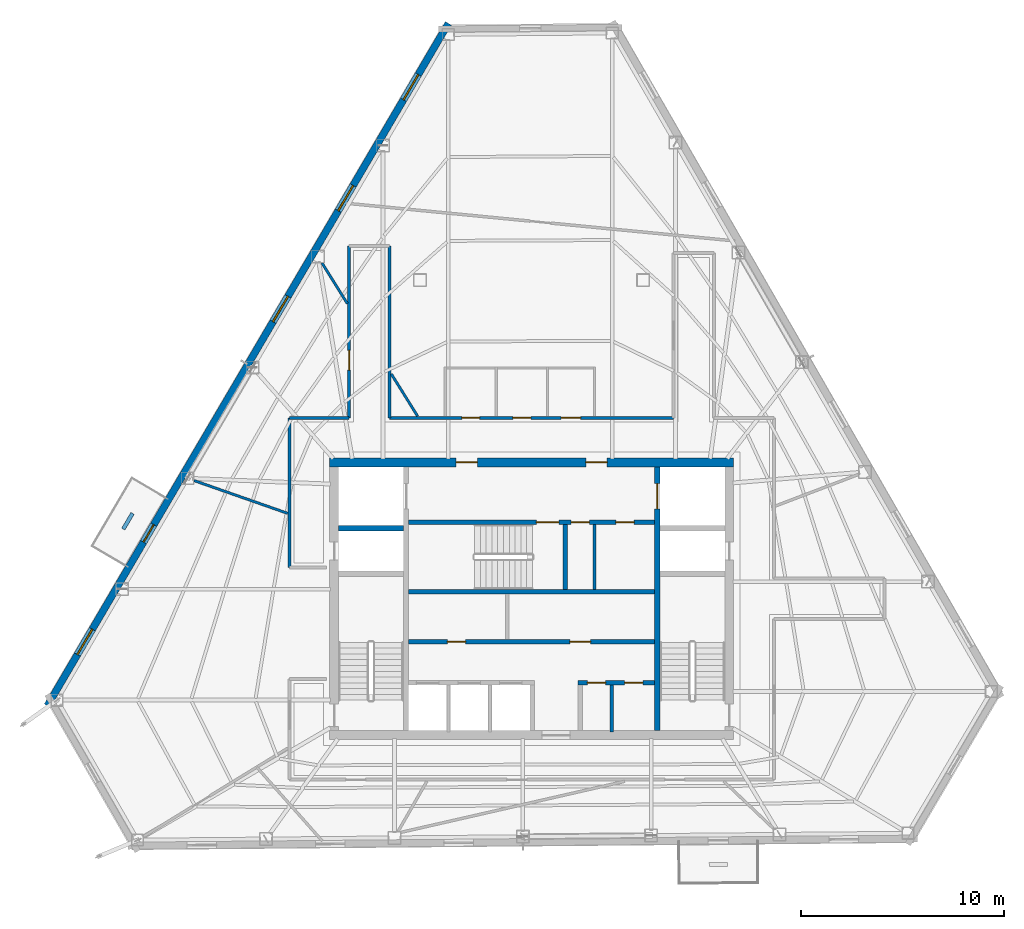
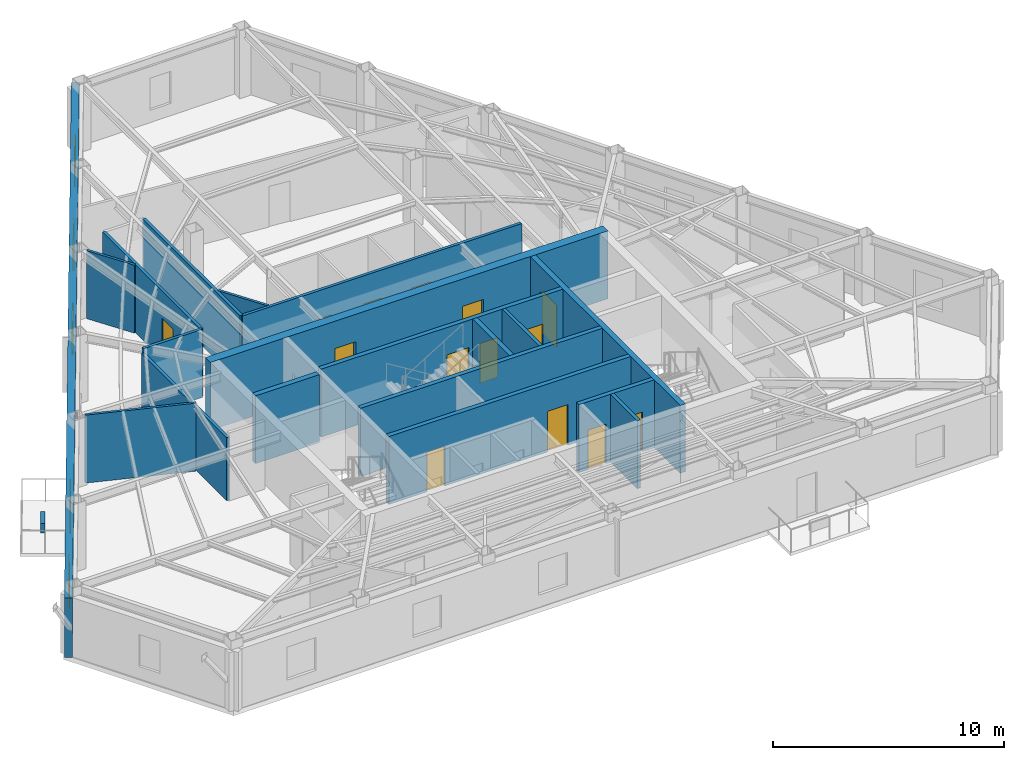
# One storey, part 9 of 14: 20 walls, 15 doors, 4 windows, 19 openings.
"""IFC4 building model written with IfcOpenShell, lengths in metres."""

from ifc_helpers import new_model, si_unit, direction, frame, frame_2d, origin, place, context, subcontext, project, spatial, rectangle, extrude, material, layer, layer_set, type_object, element, fill, save


model = new_model("IFC4")

# Units and contexts
model_context = context("Model", 3, precision=1e-05, world=origin(), true_north=direction((0.0, 1.0)))
body_context = subcontext(model_context, "Body", "Model", "MODEL_VIEW")
ifc_project = project(units=[si_unit("LENGTHUNIT", "METRE"), si_unit("AREAUNIT", "SQUARE_METRE"), si_unit("VOLUMEUNIT", "CUBIC_METRE"), si_unit("PLANEANGLEUNIT", "RADIAN"), si_unit("MASSUNIT", "GRAM", prefix="KILO")], contexts=[model_context])

# Site, building, storey
site_placement = place(None, origin())
site = spatial("IfcSite", under=ifc_project, at=site_placement, CompositionType="ELEMENT")
building_placement = place(site_placement, origin())
building = spatial("IfcBuilding", under=site, at=building_placement, Name="Kavelnor Concourse Tower", CompositionType="ELEMENT")
storey_placement = place(building_placement, frame((0.0, 0.0, 215.050048828125)))
storey = spatial("IfcBuildingStorey", under=building, at=storey_placement, Name="L54", CompositionType="ELEMENT", Elevation=215.050048828125)

# Wall, openings, doors
ifc_material_1 = material(Name="Concrete C50/60", Category="concrete")
ifc_layer_1 = layer(ifc_material_1, 0.43994140625, Name="Concrete C50/60")
ifc_layer_set_1 = layer_set([ifc_layer_1], Name="Concrete C50/60")
wall_type_1 = type_object("IfcWallType", Name="WL-CORE-Z3-440", PredefinedType="SOLIDWALL", material=ifc_layer_set_1)
wall_1_placement = place(storey_placement, frame((28.0400390625, 22.820068359375, 0.0), z_axis=(0.0, 0.0, 1.0), x_axis=(1.0, 0.0, 0.0)))
wall_1 = element("IfcWall", 1, at=wall_1_placement, inside=storey, type_object=wall_type_1, Name="L54 Central Core North Shear Wall", PredefinedType="SOLIDWALL", context=body_context, shape_type="SweptSolid", body=[
    extrude(rectangle(XDim=19.919921875, YDim=0.43994140625, at=frame_2d((9.9599609375, 0.0))), origin(), (0.0, 0.0, 1.0), 3.599853515625),
])
opening_1_placement = place(wall_1_placement, frame((6.235107421875, 0.0, 0.0)))
opening_1 = element("IfcOpeningElement", 2, at=opening_1_placement, cuts=wall_1, Name="Opening FD-105", PredefinedType="OPENING", context=body_context, shape_type="SweptSolid", body=[
    extrude(rectangle(XDim=1.050048828125, YDim=2.14990234375, at=frame_2d((0.52490234375, 1.074951171875))), frame((0.0, 0.22998046875, 0.0), z_axis=(0.0, -1.0, 0.0), x_axis=(1.0, 0.0, 0.0)), (0.0, 0.0, 1.0), 0.4599609375),
])
opening_2_placement = place(wall_1_placement, frame((12.635009765625, 0.0, 0.0)))
opening_2 = element("IfcOpeningElement", 3, at=opening_2_placement, cuts=wall_1, Name="Opening FD-105", PredefinedType="OPENING", context=body_context, shape_type="SweptSolid", body=[
    extrude(rectangle(XDim=1.050048828125, YDim=2.14990234375, at=frame_2d((0.52490234375, 1.074951171875))), frame((0.0, 0.22998046875, 0.0), z_axis=(0.0, -1.0, 0.0), x_axis=(1.0, 0.0, 0.0)), (0.0, 0.0, 1.0), 0.4599609375),
])
ifc_material_2 = material(Name="Steel Grade 350", Category="steel")
door_type_1 = type_object("IfcDoorType", Name="DR-LOBBY-FIRE-1050", OperationType="NOTDEFINED", PredefinedType="DOOR", material=ifc_material_2)
door_1_placement = place(opening_1_placement, origin())
door_1 = element("IfcDoor", 4, at=door_1_placement, inside=storey, type_object=door_type_1, Name="L54 Emergency Lift Lobby West Door", OperationType="SINGLE_SWING_LEFT", OverallHeight=2.14990234375, OverallWidth=1.050048828125, PredefinedType="DOOR", context=body_context, shape_type="SweptSolid", body=[
    extrude(rectangle(XDim=1.050048828125, YDim=2.14990234375, at=frame_2d((0.52490234375, 1.074951171875))), frame((0.0, 0.02490234375, 0.0), z_axis=(0.0, -1.0, 0.0), x_axis=(1.0, 0.0, 0.0)), (0.0, 0.0, 1.0), 0.050048828125),
])
fill(opening_1, door_1)
door_2_placement = place(opening_2_placement, origin())
door_2 = element("IfcDoor", 5, at=door_2_placement, inside=storey, type_object=door_type_1, Name="L54 Emergency Lift Lobby East Door", OperationType="SINGLE_SWING_RIGHT", OverallHeight=2.14990234375, OverallWidth=1.050048828125, PredefinedType="DOOR", context=body_context, shape_type="SweptSolid", body=[
    extrude(rectangle(XDim=1.050048828125, YDim=2.14990234375, at=frame_2d((0.52490234375, 1.074951171875))), frame((0.0, 0.02490234375, 0.0), z_axis=(0.0, -1.0, 0.0), x_axis=(1.0, 0.0, 0.0)), (0.0, 0.0, 1.0), 0.050048828125),
])
fill(opening_2, door_2)

# Wall, openings, door, windows
ifc_material_3 = material(Name="Red-ochre clay face brick masonry", Category="masonry")
ifc_layer_2 = layer(ifc_material_3, 0.35009765625, Name="Red-ochre clay face brick masonry")
ifc_layer_set_2 = layer_set([ifc_layer_2], Name="Red-ochre clay face brick masonry")
wall_type_2 = type_object("IfcWallType", Name="WL-EXT-RED-BRICK-PIER-350", PredefinedType="STANDARD", material=ifc_layer_set_2)
wall_2_placement = place(storey_placement, frame((14.1298828125, 10.82470703125, 0.0), z_axis=(0.0, 0.0, 1.0), x_axis=(0.506658543763, 0.862146808863, 0.0)))
wall_2 = element("IfcWall", 6, at=wall_2_placement, inside=storey, type_object=wall_type_2, Name="L54 Exterior Brick Facade Wall E1", PredefinedType="STANDARD", context=body_context, shape_type="SweptSolid", body=[
    extrude(rectangle(XDim=39.013671875, YDim=0.35009765625, at=frame_2d((19.5068359375, 0.0))), origin(), (0.0, 0.0, 1.0), 3.1318359375),
])
opening_3_placement = place(wall_2_placement, frame((9.353515625, 0.0, 0.0)))
opening_3 = element("IfcOpeningElement", 7, at=opening_3_placement, cuts=wall_2, Name="Opening BD-100", PredefinedType="OPENING", context=body_context, shape_type="SweptSolid", body=[
    extrude(rectangle(XDim=1.0, YDim=2.199951171875, at=frame_2d((0.5, 1.10009765625))), frame((0.0, 0.18505859375, 0.0), z_axis=(0.0, -1.0, 0.0), x_axis=(1.0, 0.0, 0.0)), (0.0, 0.0, 1.0), 0.3701171875),
])
opening_4_placement = place(wall_2_placement, frame((34.64501953125, 0.0, 0.64990234375)))
opening_4 = element("IfcOpeningElement", 8, at=opening_4_placement, cuts=wall_2, Name="Opening W-03", PredefinedType="OPENING", context=body_context, shape_type="SweptSolid", body=[
    extrude(rectangle(XDim=1.449951171875, YDim=1.75, at=frame_2d((0.72509765625, 0.875))), frame((0.0, 0.18505859375, 0.0), z_axis=(0.0, -1.0, 0.0), x_axis=(1.0, 0.0, 0.0)), (0.0, 0.0, 1.0), 0.3701171875),
])
opening_5_placement = place(wall_2_placement, frame((28.30126953125, 0.0, 0.64990234375)))
opening_5 = element("IfcOpeningElement", 9, at=opening_5_placement, cuts=wall_2, Name="Opening W-03", PredefinedType="OPENING", context=body_context, shape_type="SweptSolid", body=[
    extrude(rectangle(XDim=1.449951171875, YDim=1.75, at=frame_2d((0.72509765625, 0.875))), frame((0.0, 0.18505859375, 0.0), z_axis=(0.0, -1.0, 0.0), x_axis=(1.0, 0.0, 0.0)), (0.0, 0.0, 1.0), 0.3701171875),
])
opening_6_placement = place(wall_2_placement, frame((21.95751953125, 0.0, 0.64990234375)))
opening_6 = element("IfcOpeningElement", 10, at=opening_6_placement, cuts=wall_2, Name="Opening W-03", PredefinedType="OPENING", context=body_context, shape_type="SweptSolid", body=[
    extrude(rectangle(XDim=1.449951171875, YDim=1.75, at=frame_2d((0.72509765625, 0.875))), frame((0.0, 0.18505859375, 0.0), z_axis=(0.0, -1.0, 0.0), x_axis=(1.0, 0.0, 0.0)), (0.0, 0.0, 1.0), 0.3701171875),
])
opening_7_placement = place(wall_2_placement, frame((2.926025390625, 0.0, 0.64990234375)))
opening_7 = element("IfcOpeningElement", 11, at=opening_7_placement, cuts=wall_2, Name="Opening W-03", PredefinedType="OPENING", context=body_context, shape_type="SweptSolid", body=[
    extrude(rectangle(XDim=1.449951171875, YDim=1.75, at=frame_2d((0.72509765625, 0.875))), frame((0.0, 0.18505859375, 0.0), z_axis=(0.0, -1.0, 0.0), x_axis=(1.0, 0.0, 0.0)), (0.0, 0.0, 1.0), 0.3701171875),
])
ifc_material_4 = material(Name="Anodised aluminium 6063-T6", Category="aluminium")
door_type_2 = type_object("IfcDoorType", Name="DR-BALCONY-EXT-1000", OperationType="NOTDEFINED", PredefinedType="DOOR", material=ifc_material_4)
door_3_placement = place(opening_3_placement, origin())
door_3 = element("IfcDoor", 12, at=door_3_placement, inside=storey, type_object=door_type_2, Name="L54 Tree Balcony 1 Glazed Door", OperationType="SINGLE_SWING_LEFT", OverallHeight=2.199951171875, OverallWidth=1.0, PredefinedType="DOOR", context=body_context, shape_type="SweptSolid", body=[
    extrude(rectangle(XDim=1.0, YDim=2.199951171875, at=frame_2d((0.5, 1.10009765625))), frame((0.0, 0.02490234375, 0.0), z_axis=(0.0, -1.0, 0.0), x_axis=(1.0, 0.0, 0.0)), (0.0, 0.0, 1.0), 0.050048828125),
])
fill(opening_3, door_3)
ifc_material_5 = material(Name="Double low-E argon insulated glazing", Category="glass")
window_type = type_object("IfcWindowType", Name="WIN-PIER-Z3-1500", PartitioningType="SINGLE_PANEL", PredefinedType="WINDOW", material=ifc_material_5)
window_1_placement = place(opening_4_placement, origin())
window_1 = element("IfcWindow", 13, at=window_1_placement, inside=storey, type_object=window_type, Name="L54 Deep-Set Brick Pier Window F0-B0", OverallHeight=1.75, OverallWidth=1.449951171875, PartitioningType="SINGLE_PANEL", PredefinedType="WINDOW", context=body_context, shape_type="SweptSolid", body=[
    extrude(rectangle(XDim=1.449951171875, YDim=1.75, at=frame_2d((0.72509765625, 0.875))), frame((0.0, 0.030029296875, 0.0), z_axis=(0.0, -1.0, 0.0), x_axis=(1.0, 0.0, 0.0)), (0.0, 0.0, 1.0), 0.06005859375),
])
fill(opening_4, window_1)
window_2_placement = place(opening_5_placement, origin())
window_2 = element("IfcWindow", 14, at=window_2_placement, inside=storey, type_object=window_type, Name="L54 Deep-Set Brick Pier Window F0-B1", OverallHeight=1.75, OverallWidth=1.449951171875, PartitioningType="SINGLE_PANEL", PredefinedType="WINDOW", context=body_context, shape_type="SweptSolid", body=[
    extrude(rectangle(XDim=1.449951171875, YDim=1.75, at=frame_2d((0.72509765625, 0.875))), frame((0.0, 0.030029296875, 0.0), z_axis=(0.0, -1.0, 0.0), x_axis=(1.0, 0.0, 0.0)), (0.0, 0.0, 1.0), 0.06005859375),
])
fill(opening_5, window_2)
window_3_placement = place(opening_6_placement, origin())
window_3 = element("IfcWindow", 15, at=window_3_placement, inside=storey, type_object=window_type, Name="L54 Deep-Set Brick Pier Window F0-B2", OverallHeight=1.75, OverallWidth=1.449951171875, PartitioningType="SINGLE_PANEL", PredefinedType="WINDOW", context=body_context, shape_type="SweptSolid", body=[
    extrude(rectangle(XDim=1.449951171875, YDim=1.75, at=frame_2d((0.72509765625, 0.875))), frame((0.0, 0.030029296875, 0.0), z_axis=(0.0, -1.0, 0.0), x_axis=(1.0, 0.0, 0.0)), (0.0, 0.0, 1.0), 0.06005859375),
])
fill(opening_6, window_3)
window_4_placement = place(opening_7_placement, origin())
window_4 = element("IfcWindow", 16, at=window_4_placement, inside=storey, type_object=window_type, Name="L54 Deep-Set Brick Pier Window F0-B5", OverallHeight=1.75, OverallWidth=1.449951171875, PartitioningType="SINGLE_PANEL", PredefinedType="WINDOW", context=body_context, shape_type="SweptSolid", body=[
    extrude(rectangle(XDim=1.449951171875, YDim=1.75, at=frame_2d((0.72509765625, 0.875))), frame((0.0, 0.030029296875, 0.0), z_axis=(0.0, -1.0, 0.0), x_axis=(1.0, 0.0, 0.0)), (0.0, 0.0, 1.0), 0.06005859375),
])
fill(opening_7, window_4)

# Walls
ifc_material_6 = material(Name="Gypsum plasterboard on light-gauge steel studs", Category="steel")
ifc_layer_3 = layer(ifc_material_6, 0.14501953125, Name="Gypsum plasterboard on light-gauge steel studs")
ifc_layer_set_3 = layer_set([ifc_layer_3], Name="Gypsum plasterboard on light-gauge steel studs")
wall_type_3 = type_object("IfcWallType", Name="WL-INT-CORR-145", PredefinedType="PARTITIONING", material=ifc_layer_set_3)
wall_3_placement = place(storey_placement, frame((26.06005859375, 17.64990234375, 0.0), z_axis=(0.0, 0.0, 1.0), x_axis=(0.0, 1.0, 0.0)))
element("IfcWall", 17, at=wall_3_placement, inside=storey, type_object=wall_type_3, Name="L54 Corridor Wall WL-L54-CR-02", PredefinedType="PARTITIONING", context=body_context, shape_type="SweptSolid", body=[
    extrude(rectangle(XDim=7.3701171875, YDim=0.14501953125, at=frame_2d((3.68505859375, 0.0))), origin(), (0.0, 0.0, 1.0), 3.3388671875),
])
wall_4_placement = place(storey_placement, frame((26.06005859375, 25.02001953125, 0.0), z_axis=(0.0, 0.0, 1.0), x_axis=(1.0, 0.0, 0.0)))
element("IfcWall", 18, at=wall_4_placement, inside=storey, type_object=wall_type_3, Name="L54 Corridor Wall WL-L54-CR-03", PredefinedType="PARTITIONING", context=body_context, shape_type="SweptSolid", body=[
    extrude(rectangle(XDim=2.93994140625, YDim=0.14501953125, at=frame_2d((1.469970703125, 0.0))), origin(), (0.0, 0.0, 1.0), 3.599853515625),
])

# Wall, opening, door
wall_5_placement = place(storey_placement, frame((29.0, 25.02001953125, 0.0), z_axis=(0.0, 0.0, 1.0), x_axis=(0.0, 1.0, 0.0)))
wall_5 = element("IfcWall", 19, at=wall_5_placement, inside=storey, type_object=wall_type_3, Name="L54 Corridor Wall WL-L54-CR-04", PredefinedType="PARTITIONING", context=body_context, shape_type="SweptSolid", body=[
    extrude(rectangle(XDim=8.4716796875, YDim=0.14501953125, at=frame_2d((4.23583984375, 0.0))), origin(), (0.0, 0.0, 1.0), 3.599853515625),
])
opening_8_placement = place(wall_5_placement, frame((2.346923828125, 0.0, 0.0)))
opening_8 = element("IfcOpeningElement", 20, at=opening_8_placement, cuts=wall_5, Name="Opening OD-098", PredefinedType="OPENING", context=body_context, shape_type="SweptSolid", body=[
    extrude(rectangle(XDim=0.97998046875, YDim=2.14990234375, at=frame_2d((0.489990234375, 1.074951171875))), frame((0.0, 0.08251953125, 0.0), z_axis=(0.0, -1.0, 0.0), x_axis=(1.0, 0.0, 0.0)), (0.0, 0.0, 1.0), 0.1650390625),
])
ifc_material_7 = material(Name="Solid-core hardwood timber", Category="wood")
door_type_3 = type_object("IfcDoorType", Name="DR-OFFICE-980", OperationType="NOTDEFINED", PredefinedType="DOOR", material=ifc_material_7)
door_4_placement = place(opening_8_placement, origin())
door_4 = element("IfcDoor", 21, at=door_4_placement, inside=storey, type_object=door_type_3, Name="L54 Client Concierge 03 Door", OperationType="SINGLE_SWING_RIGHT", OverallHeight=2.14990234375, OverallWidth=0.97998046875, PredefinedType="DOOR", context=body_context, shape_type="SweptSolid", body=[
    extrude(rectangle(XDim=0.97998046875, YDim=2.14990234375, at=frame_2d((0.489990234375, 1.074951171875))), frame((0.0, 0.02490234375, 0.0), z_axis=(0.0, -1.0, 0.0), x_axis=(1.0, 0.0, 0.0)), (0.0, 0.0, 1.0), 0.050048828125),
])
fill(opening_8, door_4)

# Wall
wall_6_placement = place(storey_placement, frame((31.0, 33.49169921875, 0.0), z_axis=(0.0, 0.0, 1.0), x_axis=(0.0, -1.0, 0.0)))
element("IfcWall", 22, at=wall_6_placement, inside=storey, type_object=wall_type_3, Name="L54 Corridor Wall WL-L54-CR-06", PredefinedType="PARTITIONING", context=body_context, shape_type="SweptSolid", body=[
    extrude(rectangle(XDim=8.4716796875, YDim=0.14501953125, at=frame_2d((4.23583984375, 0.0))), origin(), (0.0, 0.0, 1.0), 3.599853515625),
])

# Wall, openings, doors
wall_7_placement = place(storey_placement, frame((31.0, 25.02001953125, 0.0), z_axis=(0.0, 0.0, 1.0), x_axis=(1.0, 0.0, 0.0)))
wall_7 = element("IfcWall", 23, at=wall_7_placement, inside=storey, type_object=wall_type_3, Name="L54 Corridor Wall WL-L54-CR-07", PredefinedType="PARTITIONING", context=body_context, shape_type="SweptSolid", body=[
    extrude(rectangle(XDim=14.0, YDim=0.14501953125, at=frame_2d((7.0, 0.0))), origin(), (0.0, 0.0, 1.0), 3.599853515625),
])
opening_9_placement = place(wall_7_placement, frame((3.56005859375, 0.0, 0.0)))
opening_9 = element("IfcOpeningElement", 24, at=opening_9_placement, cuts=wall_7, Name="Opening WD-088", PredefinedType="OPENING", context=body_context, shape_type="SweptSolid", body=[
    extrude(rectangle(XDim=0.8798828125, YDim=2.10009765625, at=frame_2d((0.43994140625, 1.050048828125))), frame((0.0, 0.08251953125, 0.0), z_axis=(0.0, -1.0, 0.0), x_axis=(1.0, 0.0, 0.0)), (0.0, 0.0, 1.0), 0.1650390625),
])
opening_10_placement = place(wall_7_placement, frame((6.080078125, 0.0, 0.0)))
opening_10 = element("IfcOpeningElement", 25, at=opening_10_placement, cuts=wall_7, Name="Opening WD-088", PredefinedType="OPENING", context=body_context, shape_type="SweptSolid", body=[
    extrude(rectangle(XDim=0.8798828125, YDim=2.10009765625, at=frame_2d((0.43994140625, 1.050048828125))), frame((0.0, 0.08251953125, 0.0), z_axis=(0.0, -1.0, 0.0), x_axis=(1.0, 0.0, 0.0)), (0.0, 0.0, 1.0), 0.1650390625),
])
opening_11_placement = place(wall_7_placement, frame((8.4599609375, 0.0, 0.0)))
opening_11 = element("IfcOpeningElement", 26, at=opening_11_placement, cuts=wall_7, Name="Opening WD-096", PredefinedType="OPENING", context=body_context, shape_type="SweptSolid", body=[
    extrude(rectangle(XDim=0.9599609375, YDim=2.10009765625, at=frame_2d((0.47998046875, 1.050048828125))), frame((0.0, 0.08251953125, 0.0), z_axis=(0.0, -1.0, 0.0), x_axis=(1.0, 0.0, 0.0)), (0.0, 0.0, 1.0), 0.1650390625),
])
door_type_4 = type_object("IfcDoorType", Name="DR-WC-ACC-960", OperationType="NOTDEFINED", PredefinedType="DOOR", material=ifc_material_7)
door_5_placement = place(opening_11_placement, origin())
door_5 = element("IfcDoor", 27, at=door_5_placement, inside=storey, type_object=door_type_4, Name="L54 Accessible WC Door", OperationType="SINGLE_SWING_RIGHT", OverallHeight=2.10009765625, OverallWidth=0.9599609375, PredefinedType="DOOR", context=body_context, shape_type="SweptSolid", body=[
    extrude(rectangle(XDim=0.9599609375, YDim=2.10009765625, at=frame_2d((0.47998046875, 1.050048828125))), frame((0.0, 0.02490234375, 0.0), z_axis=(0.0, -1.0, 0.0), x_axis=(1.0, 0.0, 0.0)), (0.0, 0.0, 1.0), 0.050048828125),
])
fill(opening_11, door_5)
door_type_5 = type_object("IfcDoorType", Name="DR-WC-STD-880", OperationType="NOTDEFINED", PredefinedType="DOOR", material=ifc_material_7)
door_6_placement = place(opening_9_placement, origin())
door_6 = element("IfcDoor", 28, at=door_6_placement, inside=storey, type_object=door_type_5, Name="L54 Male WC Door", OperationType="SINGLE_SWING_RIGHT", OverallHeight=2.10009765625, OverallWidth=0.8798828125, PredefinedType="DOOR", context=body_context, shape_type="SweptSolid", body=[
    extrude(rectangle(XDim=0.8798828125, YDim=2.10009765625, at=frame_2d((0.43994140625, 1.050048828125))), frame((0.0, 0.02490234375, 0.0), z_axis=(0.0, -1.0, 0.0), x_axis=(1.0, 0.0, 0.0)), (0.0, 0.0, 1.0), 0.050048828125),
])
fill(opening_9, door_6)
door_7_placement = place(opening_10_placement, origin())
door_7 = element("IfcDoor", 29, at=door_7_placement, inside=storey, type_object=door_type_5, Name="L54 Female WC Door", OperationType="SINGLE_SWING_LEFT", OverallHeight=2.10009765625, OverallWidth=0.8798828125, PredefinedType="DOOR", context=body_context, shape_type="SweptSolid", body=[
    extrude(rectangle(XDim=0.8798828125, YDim=2.10009765625, at=frame_2d((0.43994140625, 1.050048828125))), frame((0.0, 0.02490234375, 0.0), z_axis=(0.0, -1.0, 0.0), x_axis=(1.0, 0.0, 0.0)), (0.0, 0.0, 1.0), 0.050048828125),
])
fill(opening_10, door_7)

# Walls
ifc_layer_4 = layer(ifc_material_6, 0.1650390625, Name="Gypsum plasterboard on light-gauge steel studs")
ifc_layer_set_4 = layer_set([ifc_layer_4], Name="Gypsum plasterboard on light-gauge steel studs")
wall_type_4 = type_object("IfcWallType", Name="WL-INT-FIRE-165", PredefinedType="PARTITIONING", material=ifc_layer_set_4)
wall_8_placement = place(storey_placement, frame((41.10009765625, 16.56005859375, 0.0), z_axis=(0.0, 0.0, 1.0), x_axis=(0.0, 1.0, 0.0)))
element("IfcWall", 30, at=wall_8_placement, inside=storey, type_object=wall_type_4, Name="L54 Core Support West Divider", PredefinedType="PARTITIONING", context=body_context, shape_type="SweptSolid", body=[
    extrude(rectangle(XDim=3.199951171875, YDim=0.1650390625, at=frame_2d((1.60009765625, 0.0))), origin(), (0.0, 0.0, 1.0), 3.599853515625),
])
wall_9_placement = place(storey_placement, frame((41.949951171875, 9.52001953125, 0.0), z_axis=(0.0, 0.0, 1.0), x_axis=(0.0, 1.0, 0.0)))
element("IfcWall", 31, at=wall_9_placement, inside=storey, type_object=wall_type_4, Name="L54 Core WC Partition", PredefinedType="PARTITIONING", context=body_context, shape_type="SweptSolid", body=[
    extrude(rectangle(XDim=2.320068359375, YDim=0.1650390625, at=frame_2d((1.16015625, 0.0))), origin(), (0.0, 0.0, 1.0), 3.599853515625),
])
ifc_layer_5 = layer(ifc_material_6, 0.125, Name="Gypsum plasterboard on light-gauge steel studs")
ifc_layer_set_5 = layer_set([ifc_layer_5], Name="Gypsum plasterboard on light-gauge steel studs")
wall_type_5 = type_object("IfcWallType", Name="WL-INT-SUITE-125", PredefinedType="PARTITIONING", material=ifc_layer_set_5)
wall_10_placement = place(storey_placement, frame((32.38037109375, 25.1005859375, 0.0), z_axis=(0.0, 0.0, 1.0), x_axis=(-0.529569705145, 0.84826642477, 0.0)))
element("IfcWall", 32, at=wall_10_placement, inside=storey, type_object=wall_type_5, Name="L54 Radial Suite Partition 02", PredefinedType="PARTITIONING", context=body_context, shape_type="SweptSolid", body=[
    extrude(rectangle(XDim=2.454345703125, YDim=0.125, at=frame_2d((1.22705078125, 0.0))), origin(), (0.0, 0.0, 1.0), 3.599853515625),
])
wall_11_placement = place(storey_placement, frame((28.91943359375, 30.643798828125, 0.0), z_axis=(0.0, 0.0, 1.0), x_axis=(-0.529655581201, 0.848212806613, 0.0)))
element("IfcWall", 33, at=wall_11_placement, inside=storey, type_object=wall_type_5, Name="L54 Radial Suite Partition 02", PredefinedType="PARTITIONING", context=body_context, shape_type="SweptSolid", body=[
    extrude(rectangle(XDim=2.364990234375, YDim=0.125, at=frame_2d((1.1826171875, 0.0))), origin(), (0.0, 0.0, 1.0), 3.599853515625),
])
wall_12_placement = place(storey_placement, frame((25.9794921875, 20.30810546875, 0.0), z_axis=(0.0, 0.0, 1.0), x_axis=(-0.943825677216, 0.330443778922, 0.0)))
element("IfcWall", 34, at=wall_12_placement, inside=storey, type_object=wall_type_5, Name="L54 Radial Suite Partition 03", PredefinedType="PARTITIONING", context=body_context, shape_type="SweptSolid", body=[
    extrude(rectangle(XDim=4.892578125, YDim=0.125, at=frame_2d((2.4462890625, 0.0))), origin(), (0.0, 0.0, 1.0), 3.599853515625),
])
ifc_material_8 = material(Name="Architectural precast planter concrete C40/50", Category="concrete")
ifc_layer_6 = layer(ifc_material_8, 0.18994140625, Name="Architectural precast planter concrete C40/50")
ifc_layer_set_6 = layer_set([ifc_layer_6], Name="Architectural precast planter concrete C40/50")
wall_type_6 = type_object("IfcWallType", Name="WL-PLANTER-KERB-190", PredefinedType="USERDEFINED", material=ifc_layer_set_6)
wall_13_placement = place(storey_placement, frame((18.32861328125, 20.30810546875, 0.0), z_axis=(0.0, 0.0, 1.0), x_axis=(-0.506617093274, -0.862171166766, 0.0)))
element("IfcWall", 35, at=wall_13_placement, inside=storey, type_object=wall_type_6, Name="L54 Tree Balcony 1 Tree Planter Kerb", ObjectType="PLANTER", PredefinedType="USERDEFINED", context=body_context, shape_type="SweptSolid", body=[
    extrude(rectangle(XDim=0.900146484375, YDim=0.18994140625, at=frame_2d((0.4501953125, 0.0))), origin(), (0.0, 0.0, 1.0), 0.5),
])

# Wall, openings, doors
ifc_layer_7 = layer(ifc_material_1, 0.219970703125, Name="Concrete C50/60")
ifc_layer_set_7 = layer_set([ifc_layer_7], Name="Concrete C50/60")
wall_type_7 = type_object("IfcWallType", Name="WL-SHAFT-220", PredefinedType="SOLIDWALL", material=ifc_layer_set_7)
wall_14_placement = place(storey_placement, frame((31.93994140625, 19.8701171875, 0.0), z_axis=(0.0, 0.0, 1.0), x_axis=(1.0, 0.0, 0.0)))
wall_14 = element("IfcWall", 36, at=wall_14_placement, inside=storey, type_object=wall_type_7, Name="L54 Emergency Lift Lobby South Wall", PredefinedType="SOLIDWALL", context=body_context, shape_type="SweptSolid", body=[
    extrude(rectangle(XDim=12.1201171875, YDim=0.219970703125, at=frame_2d((6.06005859375, 0.0))), origin(), (0.0, 0.0, 1.0), 3.599853515625),
])
opening_12_placement = place(wall_14_placement, frame((6.300048828125, 0.0, 0.0)))
opening_12 = element("IfcOpeningElement", 37, at=opening_12_placement, cuts=wall_14, Name="Opening FD-110", PredefinedType="OPENING", context=body_context, shape_type="SweptSolid", body=[
    extrude(rectangle(XDim=1.10009765625, YDim=2.14990234375, at=frame_2d((0.550048828125, 1.074951171875))), frame((0.0, 0.1201171875, 0.0), z_axis=(0.0, -1.0, 0.0), x_axis=(1.0, 0.0, 0.0)), (0.0, 0.0, 1.0), 0.239990234375),
])
opening_13_placement = place(wall_14_placement, frame((8.010009765625, 0.0, 0.0)))
opening_13 = element("IfcOpeningElement", 38, at=opening_13_placement, cuts=wall_14, Name="Opening FD-090", PredefinedType="OPENING", context=body_context, shape_type="SweptSolid", body=[
    extrude(rectangle(XDim=0.89990234375, YDim=2.10009765625, at=frame_2d((0.449951171875, 1.050048828125))), frame((0.0, 0.1201171875, 0.0), z_axis=(0.0, -1.0, 0.0), x_axis=(1.0, 0.0, 0.0)), (0.0, 0.0, 1.0), 0.239990234375),
])
opening_14_placement = place(wall_14_placement, frame((10.2099609375, 0.0, 0.0)))
opening_14 = element("IfcOpeningElement", 39, at=opening_14_placement, cuts=wall_14, Name="Opening FD-090", PredefinedType="OPENING", context=body_context, shape_type="SweptSolid", body=[
    extrude(rectangle(XDim=0.89990234375, YDim=2.10009765625, at=frame_2d((0.449951171875, 1.050048828125))), frame((0.0, 0.1201171875, 0.0), z_axis=(0.0, -1.0, 0.0), x_axis=(1.0, 0.0, 0.0)), (0.0, 0.0, 1.0), 0.239990234375),
])
door_type_6 = type_object("IfcDoorType", Name="DR-RISER-FIRE-900", OperationType="NOTDEFINED", PredefinedType="DOOR", material=ifc_material_2)
door_8_placement = place(opening_13_placement, origin())
door_8 = element("IfcDoor", 40, at=door_8_placement, inside=storey, type_object=door_type_6, Name="L54 Cleaner Door", OperationType="SINGLE_SWING_RIGHT", OverallHeight=2.10009765625, OverallWidth=0.89990234375, PredefinedType="DOOR", context=body_context, shape_type="SweptSolid", body=[
    extrude(rectangle(XDim=0.89990234375, YDim=2.10009765625, at=frame_2d((0.449951171875, 1.050048828125))), frame((0.0, 0.02490234375, 0.0), z_axis=(0.0, -1.0, 0.0), x_axis=(1.0, 0.0, 0.0)), (0.0, 0.0, 1.0), 0.050048828125),
])
fill(opening_13, door_8)
door_9_placement = place(opening_14_placement, origin())
door_9 = element("IfcDoor", 41, at=door_9_placement, inside=storey, type_object=door_type_6, Name="L54 UPS Room Door", OperationType="SINGLE_SWING_LEFT", OverallHeight=2.10009765625, OverallWidth=0.89990234375, PredefinedType="DOOR", context=body_context, shape_type="SweptSolid", body=[
    extrude(rectangle(XDim=0.89990234375, YDim=2.10009765625, at=frame_2d((0.449951171875, 1.050048828125))), frame((0.0, 0.02490234375, 0.0), z_axis=(0.0, -1.0, 0.0), x_axis=(1.0, 0.0, 0.0)), (0.0, 0.0, 1.0), 0.050048828125),
])
fill(opening_14, door_9)
door_type_7 = type_object("IfcDoorType", Name="DR-STAIR-FIRE-1100", OperationType="NOTDEFINED", PredefinedType="DOOR", material=ifc_material_2)
door_10_placement = place(opening_12_placement, origin())
door_10 = element("IfcDoor", 42, at=door_10_placement, inside=storey, type_object=door_type_7, Name="L54 Stair ST3 Fire Door", OperationType="SINGLE_SWING_LEFT", OverallHeight=2.14990234375, OverallWidth=1.10009765625, PredefinedType="DOOR", context=body_context, shape_type="SweptSolid", body=[
    extrude(rectangle(XDim=1.10009765625, YDim=2.14990234375, at=frame_2d((0.550048828125, 1.074951171875))), frame((0.0, 0.02490234375, 0.0), z_axis=(0.0, -1.0, 0.0), x_axis=(1.0, 0.0, 0.0)), (0.0, 0.0, 1.0), 0.050048828125),
])
fill(opening_12, door_10)

# Walls
wall_15_placement = place(storey_placement, frame((31.93994140625, 16.449951171875, 0.0), z_axis=(0.0, 0.0, 1.0), x_axis=(1.0, 0.0, 0.0)))
element("IfcWall", 43, at=wall_15_placement, inside=storey, type_object=wall_type_7, Name="L54 Stair ST3 South Core Wall", PredefinedType="SOLIDWALL", context=body_context, shape_type="SweptSolid", body=[
    extrude(rectangle(XDim=12.1201171875, YDim=0.219970703125, at=frame_2d((6.06005859375, 0.0))), origin(), (0.0, 0.0, 1.0), 3.599853515625),
])
wall_16_placement = place(storey_placement, frame((39.64990234375, 16.56005859375, 0.0), z_axis=(0.0, 0.0, 1.0), x_axis=(0.0, 1.0, 0.0)))
element("IfcWall", 44, at=wall_16_placement, inside=storey, type_object=wall_type_7, Name="L54 Stair ST3 East Core Wall", PredefinedType="SOLIDWALL", context=body_context, shape_type="SweptSolid", body=[
    extrude(rectangle(XDim=3.199951171875, YDim=0.219970703125, at=frame_2d((1.60009765625, 0.0))), origin(), (0.0, 0.0, 1.0), 3.599853515625),
])

# Wall, openings, doors
wall_17_placement = place(storey_placement, frame((31.93994140625, 13.989990234375, 0.0), z_axis=(0.0, 0.0, 1.0), x_axis=(1.0, 0.0, 0.0)))
wall_17 = element("IfcWall", 45, at=wall_17_placement, inside=storey, type_object=wall_type_7, Name="L54 North Lift Row Shaft Wall", PredefinedType="SOLIDWALL", context=body_context, shape_type="SweptSolid", body=[
    extrude(rectangle(XDim=12.1201171875, YDim=0.219970703125, at=frame_2d((6.06005859375, 0.0))), origin(), (0.0, 0.0, 1.0), 3.599853515625),
])
opening_15_placement = place(wall_17_placement, frame((1.909912109375, 0.0, 0.0)))
opening_15 = element("IfcOpeningElement", 46, at=opening_15_placement, cuts=wall_17, Name="Opening FD-090", PredefinedType="OPENING", context=body_context, shape_type="SweptSolid", body=[
    extrude(rectangle(XDim=0.89990234375, YDim=2.10009765625, at=frame_2d((0.449951171875, 1.050048828125))), frame((0.0, 0.1201171875, 0.0), z_axis=(0.0, -1.0, 0.0), x_axis=(1.0, 0.0, 0.0)), (0.0, 0.0, 1.0), 0.239990234375),
])
opening_16_placement = place(wall_17_placement, frame((7.949951171875, 0.0, 0.0)))
opening_16 = element("IfcOpeningElement", 47, at=opening_16_placement, cuts=wall_17, Name="Opening MD-102", PredefinedType="OPENING", context=body_context, shape_type="SweptSolid", body=[
    extrude(rectangle(XDim=1.02001953125, YDim=2.14990234375, at=frame_2d((0.510009765625, 1.074951171875))), frame((0.0, 0.1201171875, 0.0), z_axis=(0.0, -1.0, 0.0), x_axis=(1.0, 0.0, 0.0)), (0.0, 0.0, 1.0), 0.239990234375),
])
ifc_material_9 = material(Name="Acoustic glazed timber frame", Category="wood")
door_type_8 = type_object("IfcDoorType", Name="DR-MEETING-1020", OperationType="NOTDEFINED", PredefinedType="DOOR", material=ifc_material_9)
door_11_placement = place(opening_16_placement, origin())
door_11 = element("IfcDoor", 48, at=door_11_placement, inside=storey, type_object=door_type_8, Name="L54 Briefing Room Door", OperationType="SINGLE_SWING_RIGHT", OverallHeight=2.14990234375, OverallWidth=1.02001953125, PredefinedType="DOOR", context=body_context, shape_type="SweptSolid", body=[
    extrude(rectangle(XDim=1.02001953125, YDim=2.14990234375, at=frame_2d((0.510009765625, 1.074951171875))), frame((0.0, 0.02490234375, 0.0), z_axis=(0.0, -1.0, 0.0), x_axis=(1.0, 0.0, 0.0)), (0.0, 0.0, 1.0), 0.050048828125),
])
fill(opening_16, door_11)
door_12_placement = place(opening_15_placement, origin())
door_12 = element("IfcDoor", 49, at=door_12_placement, inside=storey, type_object=door_type_6, Name="L54 IT Room Door", OperationType="SINGLE_SWING_LEFT", OverallHeight=2.10009765625, OverallWidth=0.89990234375, PredefinedType="DOOR", context=body_context, shape_type="SweptSolid", body=[
    extrude(rectangle(XDim=0.89990234375, YDim=2.10009765625, at=frame_2d((0.449951171875, 1.050048828125))), frame((0.0, 0.02490234375, 0.0), z_axis=(0.0, -1.0, 0.0), x_axis=(1.0, 0.0, 0.0)), (0.0, 0.0, 1.0), 0.050048828125),
])
fill(opening_15, door_12)

wall_18_placement = place(storey_placement, frame((40.280029296875, 11.949951171875, 0.0), z_axis=(0.0, 0.0, 1.0), x_axis=(1.0, 0.0, 0.0)))
wall_18 = element("IfcWall", 50, at=wall_18_placement, inside=storey, type_object=wall_type_7, Name="L54 Core South Support North Wall", PredefinedType="SOLIDWALL", context=body_context, shape_type="SweptSolid", body=[
    extrude(rectangle(XDim=3.780029296875, YDim=0.219970703125, at=frame_2d((1.89013671875, 0.0))), origin(), (0.0, 0.0, 1.0), 3.599853515625),
])
opening_17_placement = place(wall_18_placement, frame((0.469970703125, 0.0, 0.0)))
opening_17 = element("IfcOpeningElement", 51, at=opening_17_placement, cuts=wall_18, Name="Opening FD-090", PredefinedType="OPENING", context=body_context, shape_type="SweptSolid", body=[
    extrude(rectangle(XDim=0.89990234375, YDim=2.10009765625, at=frame_2d((0.449951171875, 1.050048828125))), frame((0.0, 0.1201171875, 0.0), z_axis=(0.0, -1.0, 0.0), x_axis=(1.0, 0.0, 0.0)), (0.0, 0.0, 1.0), 0.239990234375),
])
opening_18_placement = place(wall_18_placement, frame((2.300048828125, 0.0, 0.0)))
opening_18 = element("IfcOpeningElement", 52, at=opening_18_placement, cuts=wall_18, Name="Opening FD-090", PredefinedType="OPENING", context=body_context, shape_type="SweptSolid", body=[
    extrude(rectangle(XDim=0.89990234375, YDim=2.10009765625, at=frame_2d((0.449951171875, 1.050048828125))), frame((0.0, 0.1201171875, 0.0), z_axis=(0.0, -1.0, 0.0), x_axis=(1.0, 0.0, 0.0)), (0.0, 0.0, 1.0), 0.239990234375),
])
door_13_placement = place(opening_17_placement, origin())
door_13 = element("IfcDoor", 53, at=door_13_placement, inside=storey, type_object=door_type_6, Name="L54 Staff WC Door", OperationType="SINGLE_SWING_LEFT", OverallHeight=2.10009765625, OverallWidth=0.89990234375, PredefinedType="DOOR", context=body_context, shape_type="SweptSolid", body=[
    extrude(rectangle(XDim=0.89990234375, YDim=2.10009765625, at=frame_2d((0.449951171875, 1.050048828125))), frame((0.0, 0.02490234375, 0.0), z_axis=(0.0, -1.0, 0.0), x_axis=(1.0, 0.0, 0.0)), (0.0, 0.0, 1.0), 0.050048828125),
])
fill(opening_17, door_13)
door_14_placement = place(opening_18_placement, origin())
door_14 = element("IfcDoor", 54, at=door_14_placement, inside=storey, type_object=door_type_6, Name="L54 Core Comms Door", OperationType="SINGLE_SWING_RIGHT", OverallHeight=2.10009765625, OverallWidth=0.89990234375, PredefinedType="DOOR", context=body_context, shape_type="SweptSolid", body=[
    extrude(rectangle(XDim=0.89990234375, YDim=2.10009765625, at=frame_2d((0.449951171875, 1.050048828125))), frame((0.0, 0.02490234375, 0.0), z_axis=(0.0, -1.0, 0.0), x_axis=(1.0, 0.0, 0.0)), (0.0, 0.0, 1.0), 0.050048828125),
])
fill(opening_18, door_14)

# Wall, opening, door
ifc_layer_8 = layer(ifc_material_1, 0.260009765625, Name="Concrete C50/60")
ifc_layer_set_8 = layer_set([ifc_layer_8], Name="Concrete C50/60")
wall_type_8 = type_object("IfcWallType", Name="WL-SHAFT-260", PredefinedType="SHEAR", material=ifc_layer_set_8)
wall_19_placement = place(storey_placement, frame((44.18994140625, 9.60009765625, 0.0), z_axis=(0.0, 0.0, 1.0), x_axis=(0.0, 1.0, 0.0)))
wall_19 = element("IfcWall", 55, at=wall_19_placement, inside=storey, type_object=wall_type_8, Name="L54 Core East Wing Shear Wall", PredefinedType="SHEAR", context=body_context, shape_type="SweptSolid", body=[
    extrude(rectangle(XDim=13.0, YDim=0.260009765625, at=frame_2d((6.5, 0.0))), origin(), (0.0, 0.0, 1.0), 3.599853515625),
])
opening_19_placement = place(wall_19_placement, frame((10.925048828125, 0.0, 0.0)))
opening_19 = element("IfcOpeningElement", 56, at=opening_19_placement, cuts=wall_19, Name="Opening LD-125", PredefinedType="OPENING", context=body_context, shape_type="SweptSolid", body=[
    extrude(rectangle(XDim=1.25, YDim=2.25, at=frame_2d((0.625, 1.125))), frame((0.0, 0.14013671875, 0.0), z_axis=(0.0, -1.0, 0.0), x_axis=(1.0, 0.0, 0.0)), (0.0, 0.0, 1.0), 0.280029296875),
])
door_type_9 = type_object("IfcDoorType", Name="DR-LIFT-SLIDING-1250", OperationType="NOTDEFINED", PredefinedType="DOOR", material=ifc_material_2)
door_15_placement = place(opening_19_placement, origin())
door_15 = element("IfcDoor", 57, at=door_15_placement, inside=storey, type_object=door_type_9, Name="L54 Emergency Lift FL2 Landing Door", OperationType="DOUBLE_DOOR_SLIDING", OverallHeight=2.25, OverallWidth=1.25, PredefinedType="DOOR", context=body_context, shape_type="SweptSolid", body=[
    extrude(rectangle(XDim=1.25, YDim=2.25, at=frame_2d((0.625, 1.125))), frame((0.0, 0.02490234375, 0.0), z_axis=(0.0, -1.0, 0.0), x_axis=(1.0, 0.0, 0.0)), (0.0, 0.0, 1.0), 0.050048828125),
])
fill(opening_19, door_15)

# Wall
wall_20_placement = place(storey_placement, frame((28.47998046875, 19.570068359375, 0.0), z_axis=(0.0, 0.0, 1.0), x_axis=(1.0, 0.0, 0.0)))
element("IfcWall", 58, at=wall_20_placement, inside=storey, type_object=wall_type_8, Name="L54 Emergency Lift FL1 South Shaft Wall", PredefinedType="SHEAR", context=body_context, shape_type="SweptSolid", body=[
    extrude(rectangle(XDim=3.199951171875, YDim=0.260009765625, at=frame_2d((1.60009765625, 0.0))), origin(), (0.0, 0.0, 1.0), 3.599853515625),
])

save(model, "model.ifc")
